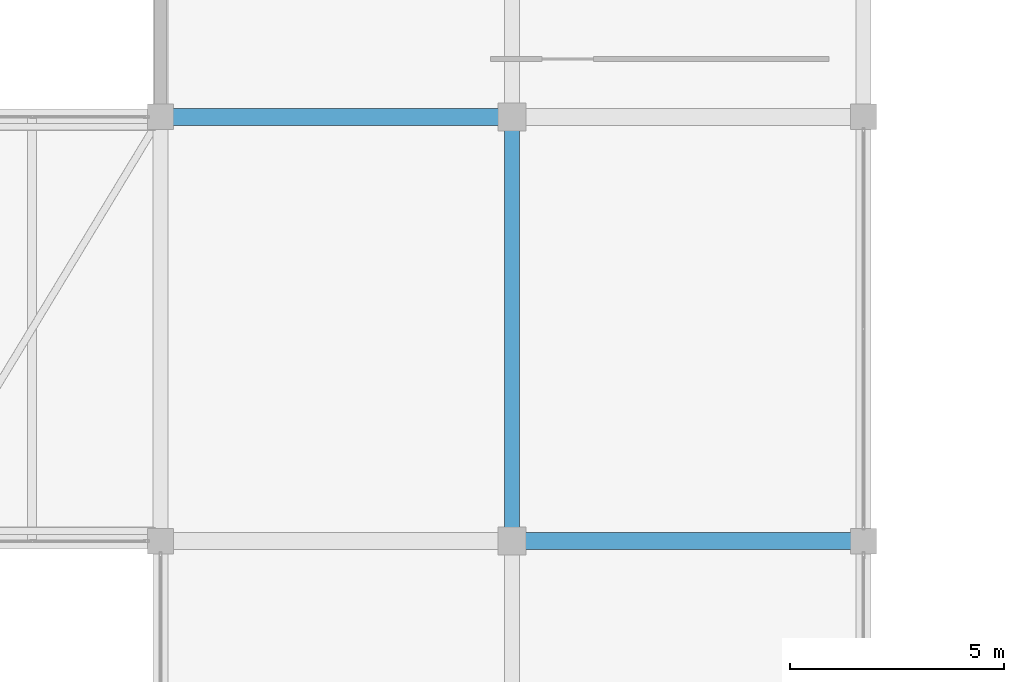
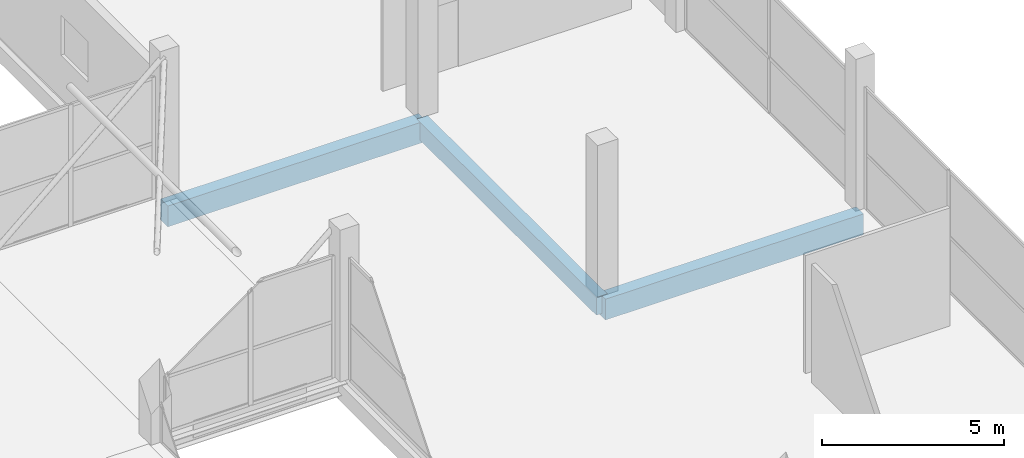
# One storey, part 34 of 58: 3 beams.
"""IFC4 building model written with IfcOpenShell, lengths in metres."""

from ifc_helpers import new_model, si_unit, direction, frame, origin, origin_2d, place, context, subcontext, project, spatial, rectangle, extrude, material, material_profile, profile_set, type_object, element, save


model = new_model("IFC4")

# Units and contexts
model_context = context("Model", 3, precision=1e-05, world=origin(), true_north=direction((0.0, 1.0)))
body_context = subcontext(model_context, "Body", "Model", "MODEL_VIEW")
ifc_project = project(units=[si_unit("LENGTHUNIT", "METRE"), si_unit("AREAUNIT", "SQUARE_METRE"), si_unit("VOLUMEUNIT", "CUBIC_METRE"), si_unit("PLANEANGLEUNIT", "RADIAN"), si_unit("MASSUNIT", "GRAM", prefix="KILO")], contexts=[model_context])

# Site, building, storey
site_placement = place(None, origin())
site = spatial("IfcSite", under=ifc_project, at=site_placement, CompositionType="ELEMENT")
building_placement = place(site_placement, origin())
building = spatial("IfcBuilding", under=site, at=building_placement, Name="Sillaruma Civic Art Gallery", CompositionType="ELEMENT")
storey_placement = place(building_placement, frame((0.0, 0.0, 52.02001953125)))
storey = spatial("IfcBuildingStorey", under=building, at=storey_placement, Name="L10", CompositionType="ELEMENT", Elevation=52.02001953125)

# Beams
ifc_material = material(Name="Concrete H35 (35 MPa)", Category="concrete")
ifc_material_profile_1 = material_profile(ifc_material, rectangle(XDim=0.35009765625, YDim=0.60009765625, at=origin_2d()), Name="RCB350x600")
ifc_profile_set_1 = profile_set([ifc_material_profile_1], Name="Concrete H35 (35 MPa)")
beam_type_1 = type_object("IfcBeamType", Name="BM-BEAM-RCB350x600", PredefinedType="BEAM", material=ifc_profile_set_1)
beam_placement = place(storey_placement, frame((106.199951171875, 69.300048828125, -0.550048828125), z_axis=(0.0, 1.0, 0.0), x_axis=(-1.0, 0.0, 0.0)))
element("IfcBeam", 1, at=beam_placement, inside=storey, type_object=beam_type_1, Name="Beam BM-06 (L09:M:8-9)", PredefinedType="BEAM", context=body_context, shape_type="SweptSolid", body=[
    extrude(rectangle(XDim=0.35009765625, YDim=0.60009765625, at=origin_2d()), origin(), (0.0, 0.0, 1.0), 9.89990234375),
])
ifc_material_profile_2 = material_profile(ifc_material, rectangle(XDim=0.39990234375, YDim=0.699951171875, at=origin_2d()), Name="RCB400x700")
ifc_profile_set_2 = profile_set([ifc_material_profile_2], Name="Concrete H35 (35 MPa)")
beam_type_2 = type_object("IfcBeamType", Name="BM-BEAM-RCB400x700", PredefinedType="BEAM", material=ifc_profile_set_2)
for number, where, z_axis, x_axis, name in (
    (2, (106.199951171875, 69.300048828125, -0.60009765625), (1.0, 0.0, 0.0), (0.0, 1.0, 0.0), "Beam BM-04 (L09:8:M-N)"),
    (3, (98.0, 79.199951171875, -0.60009765625), (1.0, 0.0, 0.0), (0.0, 1.0, 0.0), "Beam BM-04 (L09:9:L-M)"),
):
    element("IfcBeam", number, at=place(storey_placement, frame(where, z_axis=z_axis, x_axis=x_axis)), inside=storey, type_object=beam_type_2, Name=name, PredefinedType="BEAM", context=body_context, shape_type="SweptSolid", body=[
        extrude(rectangle(XDim=0.39990234375, YDim=0.699951171875, at=origin_2d()), origin(), (0.0, 0.0, 1.0), 8.199951171875),
    ])

save(model, "model.ifc")
